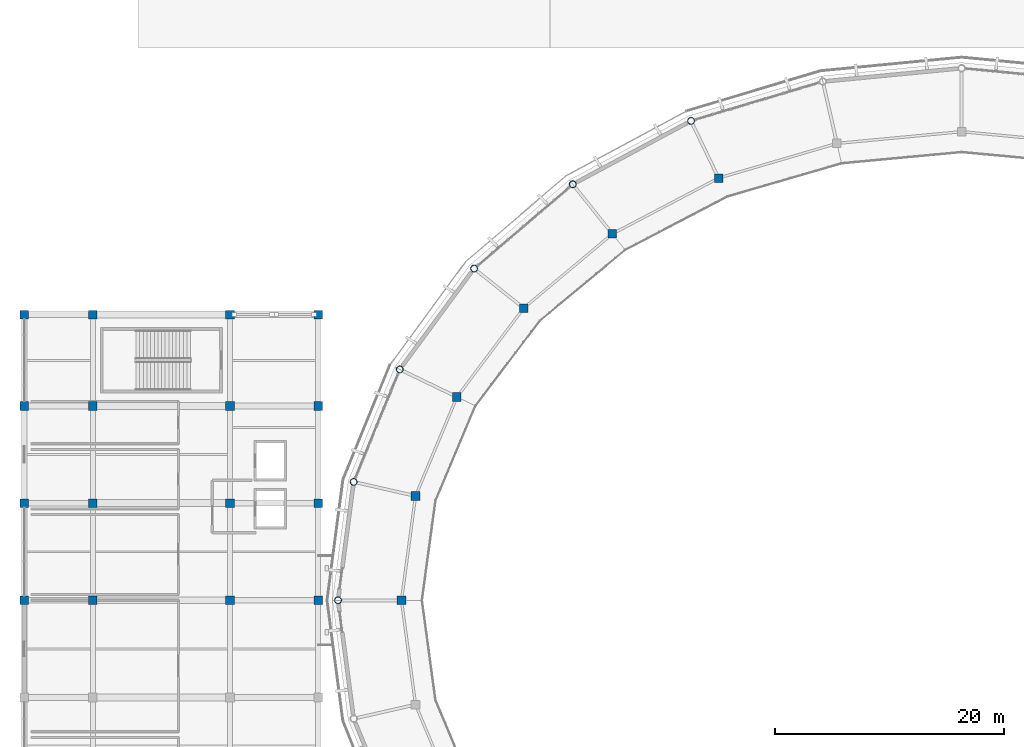
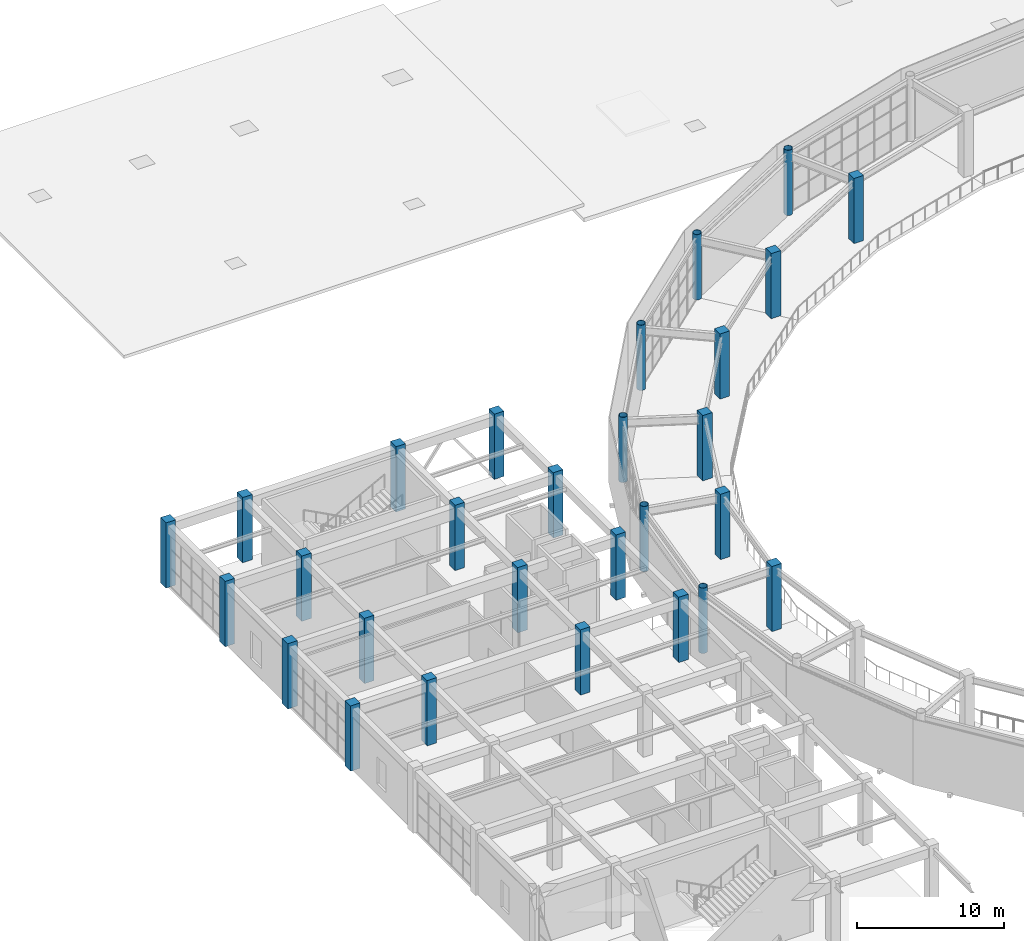
# One storey, part 7 of 70: 28 columns.
"""IFC4 building model written with IfcOpenShell, lengths in metres."""

from ifc_helpers import new_model, si_unit, direction, frame, origin, origin_2d, place, context, subcontext, project, spatial, rectangle, hollow_circle, extrude, material, material_profile, profile_set, type_object, element, save


model = new_model("IFC4")

# Units and contexts
model_context = context("Model", 3, precision=1e-05, world=origin(), true_north=direction((0.0, 1.0)))
body_context = subcontext(model_context, "Body", "Model", "MODEL_VIEW")
ifc_project = project(units=[si_unit("LENGTHUNIT", "METRE"), si_unit("AREAUNIT", "SQUARE_METRE"), si_unit("VOLUMEUNIT", "CUBIC_METRE"), si_unit("PLANEANGLEUNIT", "RADIAN"), si_unit("MASSUNIT", "GRAM", prefix="KILO")], contexts=[model_context])

# Site, building, storey
site_placement = place(None, origin())
site = spatial("IfcSite", under=ifc_project, at=site_placement, CompositionType="ELEMENT")
building_placement = place(site_placement, origin())
building = spatial("IfcBuilding", under=site, at=building_placement, Name="Cuetzalor Civic Arena", CompositionType="ELEMENT")
storey_placement = place(building_placement, frame((0.0, 0.0, 21.0)))
storey = spatial("IfcBuildingStorey", under=building, at=storey_placement, Name="L04", CompositionType="ELEMENT", Elevation=21.0)

# Columns
ifc_material_1 = material(Name="Concrete C40/50", Category="concrete")
ifc_material_profile_1 = material_profile(ifc_material_1, rectangle(XDim=0.75, YDim=0.75, at=origin_2d()), Name="RC 750x750")
ifc_profile_set_1 = profile_set([ifc_material_profile_1], Name="Concrete C40/50")
column_type_1 = type_object("IfcColumnType", Name="ConcreteColumn_750", PredefinedType="COLUMN", material=ifc_profile_set_1)
for number, where, z_axis, x_axis, name in (
    (1, (-21.26025390625, 36.939697265625, 0.0), (0.0, 0.0, 1.0), (1.0, 0.0, 0.0), "Column V1-REC-10 L04"),
    (2, (-30.551025390625, 32.05517578125, 0.0), (0.0, 0.0, 1.0), (1.0, 0.0, 0.0), "Column V1-REC-11 L04"),
    (3, (-38.309814453125, 25.56298828125, 0.0), (0.0, 0.0, 1.0), (1.0, 0.0, 0.0), "Column V1-REC-12 L04"),
    (4, (-44.1474609375, 17.789306640625, 0.0), (0.0, 0.0, 1.0), (1.0, 0.0, 0.0), "Column V1-REC-13 L04"),
    (5, (-47.771484375, 9.123291015625, 0.0), (0.0, 0.0, 1.0), (1.0, 0.0, 0.0), "Column V1-REC-14 L04"),
    (6, (-49.0, 0.0, 0.0), (0.0, 0.0, 1.0), (1.0, 0.0, 0.0), "Column V1-REC-15 L04"),
    (7, (-82.0, 0.0, 0.0), (0.0, 0.0, 1.0), (1.0, 0.0, 0.0), "Column V4W-C-01-07 L04"),
    (8, (-82.0, 8.5, 0.0), (0.0, 0.0, 1.0), (1.0, 0.0, 0.0), "Column V4W-C-01-08 L04"),
    (9, (-82.0, 17.0, 0.0), (0.0, 0.0, 1.0), (1.0, 0.0, 0.0), "Column V4W-C-01-09 L04"),
    (10, (-82.0, 25.0, 0.0), (0.0, 0.0, 1.0), (1.0, 0.0, 0.0), "Column V4W-C-01-10 L04"),
    (11, (-76.0, 0.0, 0.0), (0.0, 0.0, 1.0), (1.0, 0.0, 0.0), "Column V4W-C-02-07 L04"),
    (12, (-76.0, 8.5, 0.0), (0.0, 0.0, 1.0), (1.0, 0.0, 0.0), "Column V4W-C-02-08 L04"),
    (13, (-76.0, 17.0, 0.0), (0.0, 0.0, 1.0), (1.0, 0.0, 0.0), "Column V4W-C-02-09 L04"),
    (14, (-76.0, 25.0, 0.0), (0.0, 0.0, 1.0), (1.0, 0.0, 0.0), "Column V4W-C-02-10 L04"),
    (15, (-64.0, 0.0, 0.0), (0.0, 0.0, 1.0), (1.0, 0.0, 0.0), "Column V4W-C-03-07 L04"),
    (16, (-64.0, 8.5, 0.0), (0.0, 0.0, 1.0), (1.0, 0.0, 0.0), "Column V4W-C-03-08 L04"),
    (17, (-64.0, 17.0, 0.0), (0.0, 0.0, 1.0), (1.0, 0.0, 0.0), "Column V4W-C-03-09 L04"),
    (18, (-64.0, 25.0, 0.0), (0.0, 0.0, 1.0), (1.0, 0.0, 0.0), "Column V4W-C-03-10 L04"),
    (19, (-56.300048828125, 0.0, 0.0), (0.0, 0.0, 1.0), (1.0, 0.0, 0.0), "Column V4W-C-04-07 L04"),
    (20, (-56.300048828125, 8.5, 0.0), (0.0, 0.0, 1.0), (1.0, 0.0, 0.0), "Column V4W-C-04-08 L04"),
    (21, (-56.300048828125, 17.0, 0.0), (0.0, 0.0, 1.0), (1.0, 0.0, 0.0), "Column V4W-C-04-09 L04"),
    (22, (-56.300048828125, 25.0, 0.0), (0.0, 0.0, 1.0), (1.0, 0.0, 0.0), "Column V4W-C-04-10 L04"),
):
    element("IfcColumn", number, at=place(storey_placement, frame(where, z_axis=z_axis, x_axis=x_axis)), inside=storey, type_object=column_type_1, Name=name, PredefinedType="COLUMN", context=body_context, shape_type="SweptSolid", body=[
        extrude(rectangle(XDim=0.75, YDim=0.75, at=origin_2d()), origin(), (0.0, 0.0, 1.0), 5.39990234375),
    ])
ifc_material_2 = material(Name="Steel S355", Category="steel")
ifc_material_profile_2 = material_profile(ifc_material_2, hollow_circle(Radius=0.304931640625, WallThickness=0.02490234375, at=origin_2d()), Name="CHS 610x25")
ifc_profile_set_2 = profile_set([ifc_material_profile_2], Name="Steel S355")
column_type_2 = type_object("IfcColumnType", Name="SteelDomePylon_CHS610", PredefinedType="COLUMN", material=ifc_profile_set_2)
for number, where, z_axis, x_axis, name in (
    (23, (-23.66845703125, 41.940185546875, 0.0), (0.0, 0.0, 1.0), (1.0, 0.0, 0.0), "Column V1-PYL-10 L04"),
    (24, (-34.011474609375, 36.394287109375, 0.0), (0.0, 0.0, 1.0), (1.0, 0.0, 0.0), "Column V1-PYL-11 L04"),
    (25, (-42.64892578125, 29.0234375, 0.0), (0.0, 0.0, 1.0), (1.0, 0.0, 0.0), "Column V1-PYL-12 L04"),
    (26, (-49.14794921875, 20.197265625, 0.0), (0.0, 0.0, 1.0), (1.0, 0.0, 0.0), "Column V1-PYL-13 L04"),
    (27, (-53.182373046875, 10.3583984375, 0.0), (0.0, 0.0, 1.0), (1.0, 0.0, 0.0), "Column V1-PYL-14 L04"),
    (28, (-54.550048828125, 0.0, 0.0), (0.0, 0.0, 1.0), (1.0, 0.0, 0.0), "Column V1-PYL-15 L04"),
):
    element("IfcColumn", number, at=place(storey_placement, frame(where, z_axis=z_axis, x_axis=x_axis)), inside=storey, type_object=column_type_2, Name=name, PredefinedType="COLUMN", context=body_context, shape_type="SweptSolid", body=[
        extrude(hollow_circle(Radius=0.304931640625, WallThickness=0.02490234375, at=origin_2d()), origin(), (0.0, 0.0, 1.0), 5.39990234375),
    ])

save(model, "model.ifc")
